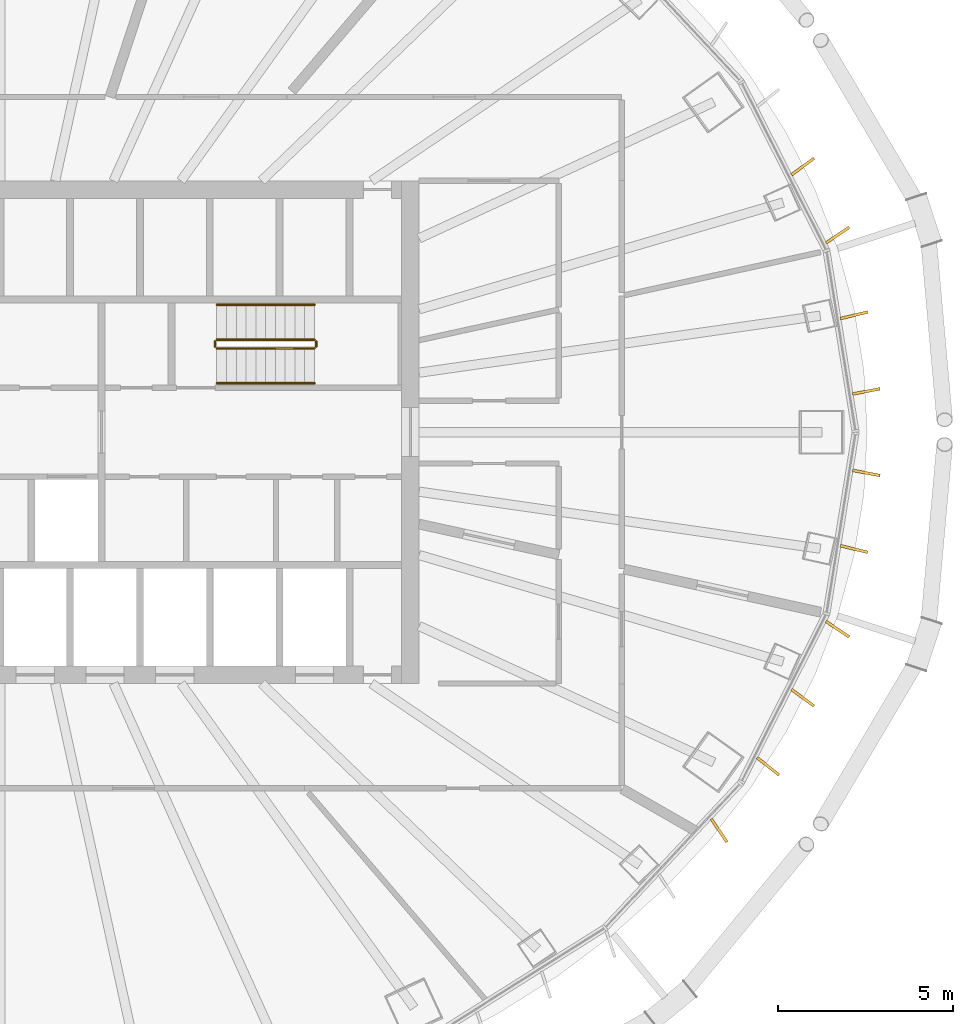
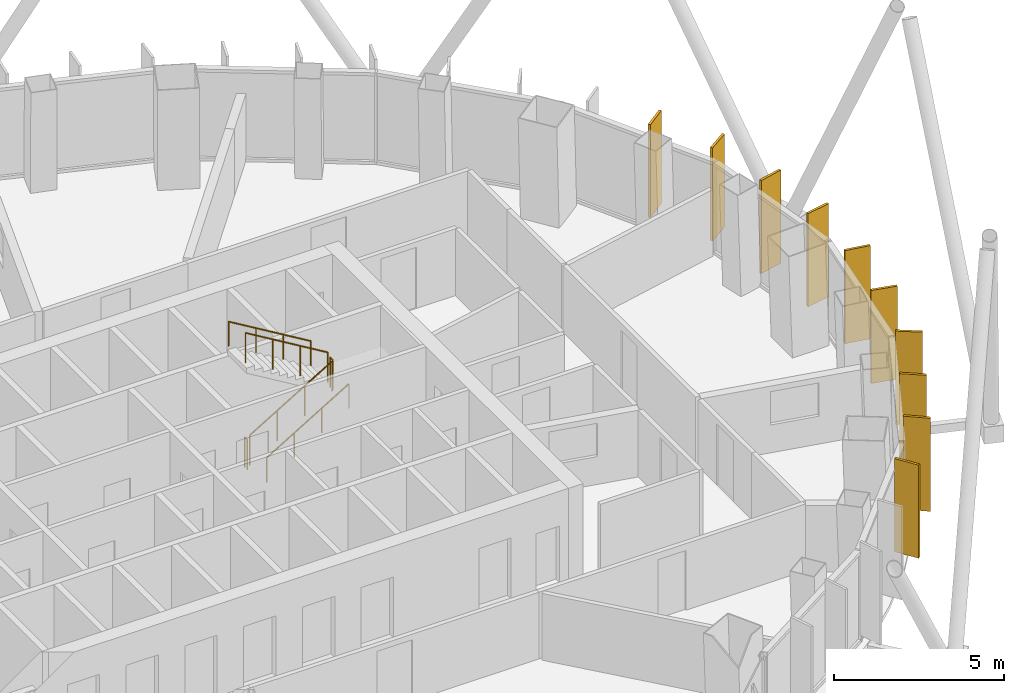
# One storey, part 17 of 18: 10 shading devices, 6 railings.
"""IFC4 building model written with IfcOpenShell, lengths in metres."""

from ifc_helpers import new_model, si_unit, direction, frame, origin, origin_2d, place, context, subcontext, project, spatial, rectangle, circle, extrude, material, layer, layer_set, type_object, element, save


model = new_model("IFC4")

# Units and contexts
model_context = context("Model", 3, precision=1e-05, world=origin(), true_north=direction((0.0, 1.0)))
body_context = subcontext(model_context, "Body", "Model", "MODEL_VIEW")
ifc_project = project(units=[si_unit("LENGTHUNIT", "METRE"), si_unit("AREAUNIT", "SQUARE_METRE"), si_unit("VOLUMEUNIT", "CUBIC_METRE"), si_unit("PLANEANGLEUNIT", "RADIAN"), si_unit("MASSUNIT", "GRAM", prefix="KILO")], contexts=[model_context])

# Site, building, storey
site_placement = place(None, origin())
site = spatial("IfcSite", under=ifc_project, at=site_placement, CompositionType="ELEMENT")
building_placement = place(site_placement, origin())
building = spatial("IfcBuilding", under=site, at=building_placement, Name="Siaravel Broadcast Tower", CompositionType="ELEMENT")
storey_placement = place(building_placement, frame((0.0, 0.0, 141.5)))
storey = spatial("IfcBuildingStorey", under=building, at=storey_placement, Name="L34", CompositionType="ELEMENT", Elevation=141.5)

# Shading devices
ifc_material_1 = material(Name="Bronze anodised aluminium", Category="aluminium")
ifc_layer = layer(ifc_material_1, 0.080078125)
ifc_layer_set = layer_set([ifc_layer], Name="Bronze anodised aluminium")
shading_device_type = type_object("IfcShadingDeviceType", Name="Bronze fin zone 2", PredefinedType="USERDEFINED", material=ifc_layer_set)
for number, where, z_axis, x_axis, name in (
    (1, (24.80908203125, 1.167724609375, 0.300048828125), (0.0, 0.0, 1.0), (0.982795407, 0.18469756, 0.0), "Bronze fin L34-01"),
    (2, (24.457763671875, 3.347900390625, 0.300048828125), (0.0, 0.0, 1.0), (0.971853374, 0.235586543, 0.0), "Bronze fin L34-02"),
    (3, (23.985595703125, 5.644287109375, 0.300048828125), (0.0, 0.0, 1.0), (0.828413409, 0.560117152, 0.0), "Bronze fin L34-03"),
    (4, (22.989013671875, 7.609619140625, 0.300048828125), (0.0, 0.0, 1.0), (0.804740485, 0.593626778, 0.0), "Bronze fin L34-04"),
    (5, (20.59130859375, -11.411376953125, 0.300048828125), (0.0, 0.0, 1.0), (0.558868745, -0.829256128, 0.0), "Bronze fin L34-59"),
    (6, (21.99365234375, -9.572509765625, 0.300048828125), (0.0, 0.0, 1.0), (0.784288272, -0.620396571, 0.0), "Bronze fin L34-60"),
    (7, (22.989013671875, -7.609619140625, 0.300048828125), (0.0, 0.0, 1.0), (0.804740485, -0.593626778, 0.0), "Bronze fin L34-61"),
    (8, (23.985595703125, -5.644287109375, 0.300048828125), (0.0, 0.0, 1.0), (0.828413409, -0.560117152, 0.0), "Bronze fin L34-62"),
    (9, (24.457763671875, -3.347900390625, 0.300048828125), (0.0, 0.0, 1.0), (0.971853374, -0.235586543, 0.0), "Bronze fin L34-63"),
    (10, (24.80908203125, -1.167724609375, 0.300048828125), (0.0, 0.0, 1.0), (0.982795407, -0.18469756, 0.0), "Bronze fin L34-64"),
):
    element("IfcShadingDevice", number, at=place(storey_placement, frame(where, z_axis=z_axis, x_axis=x_axis)), inside=storey, type_object=shading_device_type, Name=name, ObjectType="FIN", PredefinedType="USERDEFINED", context=body_context, shape_type="SweptSolid", body=[
        extrude(rectangle(XDim=0.800048828125, YDim=0.080078125, at=origin_2d()), origin(), (0.0, 0.0, 1.0), 3.35009765625),
    ])

# Railings
ifc_material_2 = material(Name="Stainless steel 316L", Category="steel")
railing_type_1 = type_object("IfcRailingType", Name="Stair guard 1100", PredefinedType="GUARDRAIL", material=ifc_material_2)
railing_1_placement = place(storey_placement, frame((6.199951171875, 2.39990234375, 0.168212890625)))
element("IfcRailing", 11, at=railing_1_placement, inside=storey, type_object=railing_type_1, Name="L34 ST-2 stair guard 1", PredefinedType="GUARDRAIL", context=body_context, shape_type="SweptSolid", body=[
    extrude(circle(Radius=0.02392578125, at=origin_2d()), frame((0.0, 0.0, 1.076171875), z_axis=(0.857242211, 0.0, 0.514913383), x_axis=(0.0, 1.0, 0.0)), (0.0, 0.0, 1.0), 3.266357421875),
    extrude(circle(Radius=0.02099609375, at=origin_2d()), origin(), (0.0, 0.0, 1.0), 1.052001953125),
    extrude(circle(Radius=0.02099609375, at=origin_2d()), frame((0.933349609375, 0.0, 0.560546875)), (0.0, 0.0, 1.0), 1.052001953125),
    extrude(circle(Radius=0.02099609375, at=origin_2d()), frame((1.86669921875, 0.0, 1.121337890625)), (0.0, 0.0, 1.0), 1.052001953125),
    extrude(circle(Radius=0.02099609375, at=origin_2d()), frame((2.800048828125, 0.0, 1.681884765625)), (0.0, 0.0, 1.0), 1.052001953125),
])
railing_2_placement = place(storey_placement, frame((9.050048828125, 2.449951171875, 1.85009765625)))
element("IfcRailing", 12, at=railing_2_placement, inside=storey, type_object=railing_type_1, Name="L34 ST-2 stair guard 2", PredefinedType="GUARDRAIL", context=body_context, shape_type="SweptSolid", body=[
    extrude(circle(Radius=0.02392578125, at=origin_2d()), frame((0.0, 0.0, 1.076171875), z_axis=(0.0, 1.0, 0.0), x_axis=(-1.0, 0.0, 0.0)), (0.0, 0.0, 1.0), 0.150146484375),
    extrude(circle(Radius=0.02099609375, at=origin_2d()), origin(), (0.0, 0.0, 1.0), 1.052001953125),
    extrude(circle(Radius=0.02099609375, at=origin_2d()), frame((0.0, 0.150146484375, 0.0)), (0.0, 0.0, 1.0), 1.052001953125),
])
railing_3_placement = place(storey_placement, frame((9.0, 2.64990234375, 2.01806640625)))
element("IfcRailing", 13, at=railing_3_placement, inside=storey, type_object=railing_type_1, Name="L34 ST-2 stair guard 3", PredefinedType="GUARDRAIL", context=body_context, shape_type="SweptSolid", body=[
    extrude(circle(Radius=0.02392578125, at=origin_2d()), frame((0.0, 0.0, 1.076171875), z_axis=(-0.857242211, 0.0, 0.514913383), x_axis=(0.0, -1.0, 0.0)), (0.0, 0.0, 1.0), 3.266357421875),
    extrude(circle(Radius=0.02099609375, at=origin_2d()), origin(), (0.0, 0.0, 1.0), 1.052001953125),
    extrude(circle(Radius=0.02099609375, at=origin_2d()), frame((-0.933349609375, 0.0, 0.560546875)), (0.0, 0.0, 1.0), 1.052001953125),
    extrude(circle(Radius=0.02099609375, at=origin_2d()), frame((-1.86669921875, 0.0, 1.121337890625)), (0.0, 0.0, 1.0), 1.052001953125),
    extrude(circle(Radius=0.02099609375, at=origin_2d()), frame((-2.800048828125, 0.0, 1.681884765625)), (0.0, 0.0, 1.0), 1.052001953125),
])
railing_4_placement = place(storey_placement, frame((6.14990234375, 2.449951171875, 0.0)))
element("IfcRailing", 14, at=railing_4_placement, inside=storey, type_object=railing_type_1, Name="L34 ST-2 stair guard 4", PredefinedType="GUARDRAIL", context=body_context, shape_type="SweptSolid", body=[
    extrude(circle(Radius=0.02392578125, at=origin_2d()), frame((0.0, 0.0, 1.076171875), z_axis=(0.0, 1.0, 0.0), x_axis=(-1.0, 0.0, 0.0)), (0.0, 0.0, 1.0), 0.150146484375),
    extrude(circle(Radius=0.02099609375, at=origin_2d()), origin(), (0.0, 0.0, 1.0), 1.052001953125),
    extrude(circle(Radius=0.02099609375, at=origin_2d()), frame((0.0, 0.150146484375, 0.0)), (0.0, 0.0, 1.0), 1.052001953125),
])
railing_type_2 = type_object("IfcRailingType", Name="Stair handrail 900", PredefinedType="HANDRAIL", material=ifc_material_2)
railing_5_placement = place(storey_placement, frame((6.199951171875, 1.39990234375, 0.168212890625)))
element("IfcRailing", 15, at=railing_5_placement, inside=storey, type_object=railing_type_2, Name="L34 ST-2 stair handrail 1", PredefinedType="HANDRAIL", context=body_context, shape_type="SweptSolid", body=[
    extrude(circle(Radius=0.02392578125, at=origin_2d()), frame((0.0, 0.0, 0.8759765625), z_axis=(0.857242211, 0.0, 0.514913383), x_axis=(0.0, 1.0, 0.0)), (0.0, 0.0, 1.0), 3.266357421875),
    extrude(circle(Radius=0.02099609375, at=origin_2d()), origin(), (0.0, 0.0, 1.0), 0.851806640625),
    extrude(circle(Radius=0.02099609375, at=origin_2d()), frame((0.933349609375, 0.0, 0.560546875)), (0.0, 0.0, 1.0), 0.851806640625),
    extrude(circle(Radius=0.02099609375, at=origin_2d()), frame((1.86669921875, 0.0, 1.121337890625)), (0.0, 0.0, 1.0), 0.851806640625),
    extrude(circle(Radius=0.02099609375, at=origin_2d()), frame((2.800048828125, 0.0, 1.681884765625)), (0.0, 0.0, 1.0), 0.851806640625),
])
railing_6_placement = place(storey_placement, frame((9.0, 3.64990234375, 2.01806640625)))
element("IfcRailing", 16, at=railing_6_placement, inside=storey, type_object=railing_type_2, Name="L34 ST-2 stair handrail 2", PredefinedType="HANDRAIL", context=body_context, shape_type="SweptSolid", body=[
    extrude(circle(Radius=0.02392578125, at=origin_2d()), frame((0.0, 0.0, 0.8759765625), z_axis=(-0.857242211, 0.0, 0.514913383), x_axis=(0.0, -1.0, 0.0)), (0.0, 0.0, 1.0), 3.266357421875),
    extrude(circle(Radius=0.02099609375, at=origin_2d()), origin(), (0.0, 0.0, 1.0), 0.851806640625),
    extrude(circle(Radius=0.02099609375, at=origin_2d()), frame((-0.933349609375, 0.0, 0.560546875)), (0.0, 0.0, 1.0), 0.851806640625),
    extrude(circle(Radius=0.02099609375, at=origin_2d()), frame((-1.86669921875, 0.0, 1.121337890625)), (0.0, 0.0, 1.0), 0.851806640625),
    extrude(circle(Radius=0.02099609375, at=origin_2d()), frame((-2.800048828125, 0.0, 1.681884765625)), (0.0, 0.0, 1.0), 0.851806640625),
])

save(model, "model.ifc")
